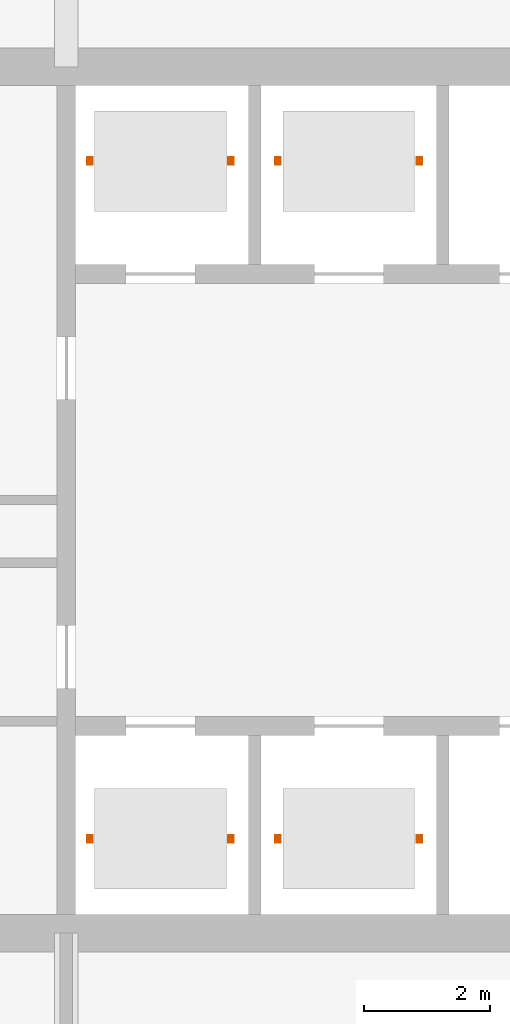
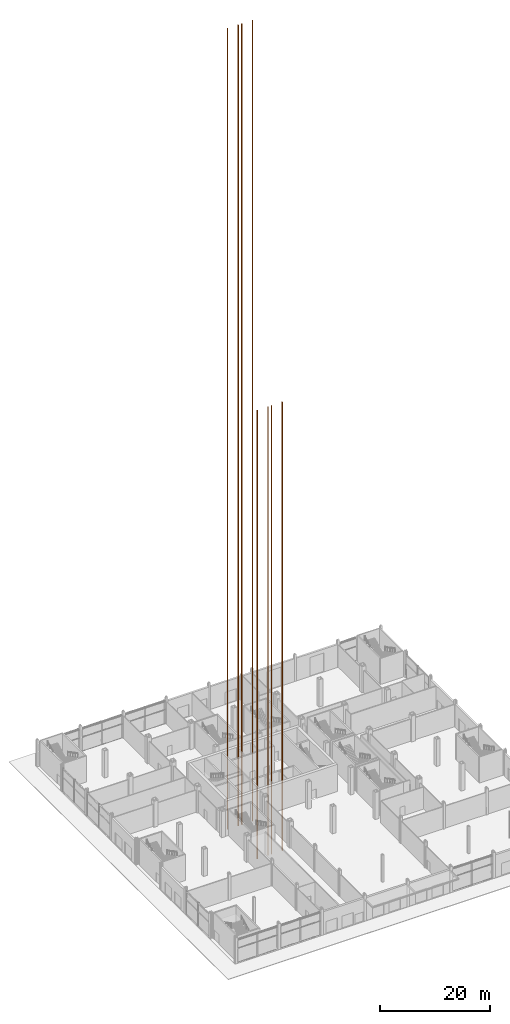
# One storey, part 34 of 34: 4 proxies.
"""IFC4 building model written with IfcOpenShell, lengths in metres."""

from ifc_helpers import new_model, si_unit, direction, frame, frame_2d, origin, place, context, subcontext, project, spatial, rectangle, extrude, material, type_object, element, save


model = new_model("IFC4")

# Units and contexts
model_context = context("Model", 3, precision=1e-05, world=origin(), true_north=direction((0.0, 1.0)))
body_context = subcontext(model_context, "Body", "Model", "MODEL_VIEW")
ifc_project = project(units=[si_unit("LENGTHUNIT", "METRE"), si_unit("AREAUNIT", "SQUARE_METRE"), si_unit("VOLUMEUNIT", "CUBIC_METRE"), si_unit("PLANEANGLEUNIT", "RADIAN"), si_unit("MASSUNIT", "GRAM", prefix="KILO")], contexts=[model_context])

# Site, building, storey
site_placement = place(None, origin())
site = spatial("IfcSite", under=ifc_project, at=site_placement, CompositionType="ELEMENT")
building_placement = place(site_placement, origin())
building = spatial("IfcBuilding", under=site, at=building_placement, Name="Loomwork Tower", CompositionType="ELEMENT")
storey_placement = place(building_placement, origin())
storey = spatial("IfcBuildingStorey", under=building, at=storey_placement, Name="L00", CompositionType="ELEMENT", Elevation=0.0)

# Proxies
ifc_material = material(Name="Steel guide rails", Category="steel")
building_element_proxy_type = type_object("IfcBuildingElementProxyType", Name="Lift guide rail frame", PredefinedType="USERDEFINED", material=ifc_material)
for number, where, z_axis, x_axis, name in (
    (1, (19.5, 12.60009765625, -10.5), (0.0, 0.0, 1.0), (1.0, 0.0, 0.0), "Lift guide rail frame LA1"),
    (2, (22.5, 12.60009765625, -10.5), (0.0, 0.0, 1.0), (1.0, 0.0, 0.0), "Lift guide rail frame LA2"),
):
    element("IfcBuildingElementProxy", number, at=place(storey_placement, frame(where, z_axis=z_axis, x_axis=x_axis)), inside=storey, type_object=building_element_proxy_type, Name=name, ObjectType="LIFT GUIDE RAIL FRAME", PredefinedType="USERDEFINED", context=body_context, shape_type="SweptSolid", body=[
        extrude(rectangle(XDim=0.090087890625, YDim=0.125, at=frame_2d((-1.125, 0.0))), origin(), (0.0, 0.0, 1.0), 99.39990234375),
        extrude(rectangle(XDim=0.090087890625, YDim=0.125, at=frame_2d((1.125, 0.0))), origin(), (0.0, 0.0, 1.0), 99.39990234375),
    ])
for number, where, z_axis, x_axis, name in (
    (3, (19.5, 23.39990234375, -10.5), (0.0, 0.0, 1.0), (1.0, 0.0, 0.0), "Lift guide rail frame LS1"),
    (4, (22.5, 23.39990234375, -10.5), (0.0, 0.0, 1.0), (1.0, 0.0, 0.0), "Lift guide rail frame LS2"),
):
    element("IfcBuildingElementProxy", number, at=place(storey_placement, frame(where, z_axis=z_axis, x_axis=x_axis)), inside=storey, type_object=building_element_proxy_type, Name=name, ObjectType="LIFT GUIDE RAIL FRAME", PredefinedType="USERDEFINED", context=body_context, shape_type="SweptSolid", body=[
        extrude(rectangle(XDim=0.090087890625, YDim=0.125, at=frame_2d((-1.125, 0.0))), origin(), (0.0, 0.0, 1.0), 177.5),
        extrude(rectangle(XDim=0.090087890625, YDim=0.125, at=frame_2d((1.125, 0.0))), origin(), (0.0, 0.0, 1.0), 177.5),
    ])

save(model, "model.ifc")
